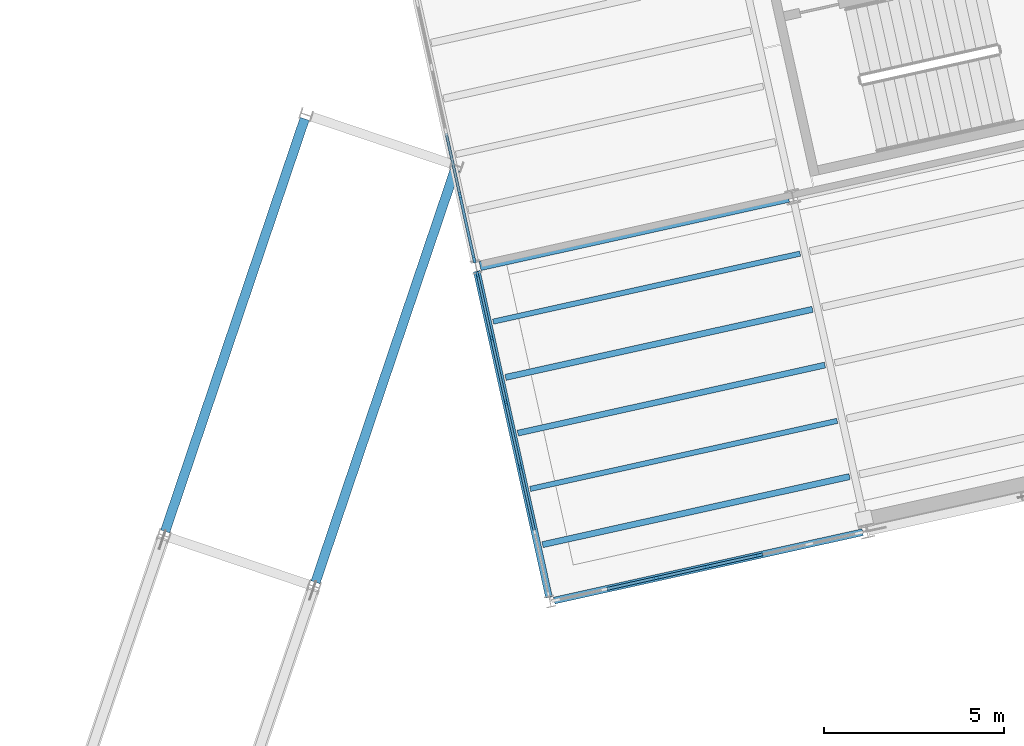
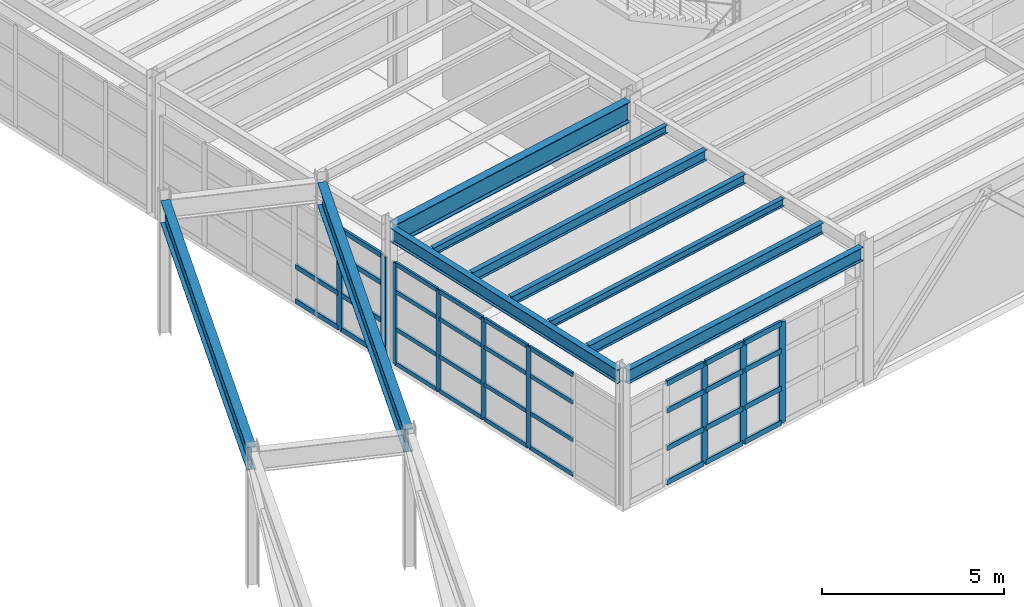
# One storey, part 51 of 109: 43 members, 10 beams, 3 elements without a shape of their own.
"""IFC4 building model written with IfcOpenShell, lengths in metres."""

from ifc_helpers import new_model, si_unit, direction, frame, origin, origin_2d, place, context, subcontext, project, spatial, rectangle, i_section, extrude, material, layer, layer_set, material_profile, profile_set, type_object, element, aggregate, save


model = new_model("IFC4")

# Units and contexts
model_context = context("Model", 3, precision=1e-05, world=origin(), true_north=direction((0.0, 1.0)))
body_context = subcontext(model_context, "Body", "Model", "MODEL_VIEW")
ifc_project = project(units=[si_unit("LENGTHUNIT", "METRE"), si_unit("AREAUNIT", "SQUARE_METRE"), si_unit("VOLUMEUNIT", "CUBIC_METRE"), si_unit("PLANEANGLEUNIT", "RADIAN"), si_unit("MASSUNIT", "GRAM", prefix="KILO")], contexts=[model_context])

# Site, building, storey
site_placement = place(None, origin())
site = spatial("IfcSite", under=ifc_project, at=site_placement, CompositionType="ELEMENT")
building_placement = place(site_placement, origin())
building = spatial("IfcBuilding", under=site, at=building_placement, Name="Vireo Bluff Cable Station", CompositionType="ELEMENT")
storey_placement = place(building_placement, frame((0.0, 0.0, 4.800048828125)))
storey = spatial("IfcBuildingStorey", under=building, at=storey_placement, Name="L01", CompositionType="ELEMENT", Elevation=4.800048828125)

# Curtain wall, members
ifc_material_1 = material(Name="Anodized Aluminium 6063-T6", Category="aluminium")
ifc_layer_1 = layer(ifc_material_1, 0.159912109375, Name="Anodized Aluminium 6063-T6")
ifc_layer_set_1 = layer_set([ifc_layer_1], Name="Anodized Aluminium 6063-T6")
curtain_wall_type_1 = type_object("IfcCurtainWallType", Name="CW-STICK-1750", PredefinedType="USERDEFINED", material=ifc_layer_set_1)
curtain_wall_1_placement = place(storey_placement, origin())
curtain_wall_1 = element("IfcCurtainWall", 1, at=curtain_wall_1_placement, inside=storey, type_object=curtain_wall_type_1, Name="V2 L01 west curtain wall CW-044", ObjectType="STICK CURTAIN WALL", PredefinedType="USERDEFINED")
ifc_material_profile_1 = material_profile(ifc_material_1, rectangle(XDim=0.06494140625, YDim=0.179931640625, at=origin_2d()), Name="ALU-M-65X180")
ifc_profile_set_1 = profile_set([ifc_material_profile_1], Name="Anodized Aluminium 6063-T6")
member_type_1 = type_object("IfcMemberType", Name="CWM-01", PredefinedType="MULLION", material=ifc_profile_set_1)
member_1_placement = place(storey_placement, frame((125.173095703125, 77.730224609375, 0.0), z_axis=(0.0, 0.0, 1.0), x_axis=(-0.976296002602, -0.216439634317, 0.0)))
member_1 = element("IfcMember", 2, at=member_1_placement, type_object=member_type_1, Name="CW-044 mullion 3", PredefinedType="MULLION", context=body_context, shape_type="SweptSolid", body=[
    extrude(rectangle(XDim=0.06494140625, YDim=0.179931640625, at=origin_2d()), origin(), (0.0, 0.0, 1.0), 3.39990234375),
])
member_2_placement = place(storey_placement, frame((124.776611328125, 79.518798828125, 0.0), z_axis=(0.0, 0.0, 1.0), x_axis=(-0.976296002602, -0.216439634317, 0.0)))
member_2 = element("IfcMember", 3, at=member_2_placement, type_object=member_type_1, Name="CW-044 mullion 4", PredefinedType="MULLION", context=body_context, shape_type="SweptSolid", body=[
    extrude(rectangle(XDim=0.06494140625, YDim=0.179931640625, at=origin_2d()), origin(), (0.0, 0.0, 1.0), 3.39990234375),
])
member_3_placement = place(storey_placement, frame((124.380126953125, 81.30712890625, 0.0), z_axis=(0.0, 0.0, 1.0), x_axis=(-0.976296002602, -0.216439634317, 0.0)))
member_3 = element("IfcMember", 4, at=member_3_placement, type_object=member_type_1, Name="CW-044 mullion 5", PredefinedType="MULLION", context=body_context, shape_type="SweptSolid", body=[
    extrude(rectangle(XDim=0.06494140625, YDim=0.179931640625, at=origin_2d()), origin(), (0.0, 0.0, 1.0), 3.39990234375),
])
member_4_placement = place(storey_placement, frame((123.990478515625, 83.06396484375, 0.0), z_axis=(0.0, 0.0, 1.0), x_axis=(-0.976296002602, -0.216439634317, 0.0)))
member_4 = element("IfcMember", 5, at=member_4_placement, type_object=member_type_1, Name="CW-044 mullion 6", PredefinedType="MULLION", context=body_context, shape_type="SweptSolid", body=[
    extrude(rectangle(XDim=0.06494140625, YDim=0.179931640625, at=origin_2d()), origin(), (0.0, 0.0, 1.0), 3.39990234375),
])

ifc_layer_2 = layer(ifc_material_1, 0.159912109375, Name="Anodized Aluminium 6063-T6")
ifc_layer_set_2 = layer_set([ifc_layer_2], Name="Anodized Aluminium 6063-T6")
curtain_wall_type_2 = type_object("IfcCurtainWallType", Name="CW-STICK-1850", PredefinedType="USERDEFINED", material=ifc_layer_set_2)
curtain_wall_2_placement = place(storey_placement, origin())
curtain_wall_2 = element("IfcCurtainWall", 6, at=curtain_wall_2_placement, inside=storey, type_object=curtain_wall_type_2, Name="V2 L01 west curtain wall CW-045", ObjectType="STICK CURTAIN WALL", PredefinedType="USERDEFINED")
ifc_material_profile_2 = material_profile(ifc_material_1, rectangle(XDim=0.074951171875, YDim=0.2099609375, at=origin_2d()), Name="ALU-M-75X210")
ifc_profile_set_2 = profile_set([ifc_material_profile_2], Name="Anodized Aluminium 6063-T6")
member_type_2 = type_object("IfcMemberType", Name="CWM-02", PredefinedType="MULLION", material=ifc_profile_set_2)
member_5_placement = place(storey_placement, frame((123.89599609375, 83.490478515625, 0.0), z_axis=(0.0, 0.0, 1.0), x_axis=(-0.976295999735, -0.21643964725, 0.0)))
member_5 = element("IfcMember", 7, at=member_5_placement, type_object=member_type_2, Name="CW-045 mullion 1", PredefinedType="MULLION", context=body_context, shape_type="SweptSolid", body=[
    extrude(rectangle(XDim=0.074951171875, YDim=0.2099609375, at=origin_2d()), origin(), (0.0, 0.0, 1.0), 3.39990234375),
])
member_6_placement = place(storey_placement, frame((123.5087890625, 85.237548828125, 0.0), z_axis=(0.0, 0.0, 1.0), x_axis=(-0.976295999735, -0.21643964725, 0.0)))
member_6 = element("IfcMember", 8, at=member_6_placement, type_object=member_type_2, Name="CW-045 mullion 2", PredefinedType="MULLION", context=body_context, shape_type="SweptSolid", body=[
    extrude(rectangle(XDim=0.074951171875, YDim=0.2099609375, at=origin_2d()), origin(), (0.0, 0.0, 1.0), 3.39990234375),
])

ifc_layer_3 = layer(ifc_material_1, 0.179931640625, Name="Anodized Aluminium 6063-T6")
ifc_layer_set_3 = layer_set([ifc_layer_3], Name="Anodized Aluminium 6063-T6")
curtain_wall_type_3 = type_object("IfcCurtainWallType", Name="CW-UNIT-1500", PredefinedType="USERDEFINED", material=ifc_layer_set_3)
curtain_wall_3_placement = place(storey_placement, origin())
curtain_wall_3 = element("IfcCurtainWall", 9, at=curtain_wall_3_placement, inside=storey, type_object=curtain_wall_type_3, Name="V2 L01 south curtain wall CW-043", ObjectType="UNITISED CURTAIN WALL", PredefinedType="USERDEFINED")
ifc_material_profile_3 = material_profile(ifc_material_1, rectangle(XDim=0.080078125, YDim=0.239990234375, at=origin_2d()), Name="ALU-M-80X240")
ifc_profile_set_3 = profile_set([ifc_material_profile_3], Name="Anodized Aluminium 6063-T6")
member_type_3 = type_object("IfcMemberType", Name="CWM-04", PredefinedType="MULLION", material=ifc_profile_set_3)
member_7_placement = place(storey_placement, frame((131.778076171875, 75.281005859375, 0.0), z_axis=(0.0, 0.0, 1.0), x_axis=(0.216439535726, -0.976296024459, 0.0)))
member_7 = element("IfcMember", 10, at=member_7_placement, type_object=member_type_3, Name="CW-043 mullion 3", PredefinedType="MULLION", context=body_context, shape_type="SweptSolid", body=[
    extrude(rectangle(XDim=0.080078125, YDim=0.239990234375, at=origin_2d()), origin(), (0.0, 0.0, 1.0), 3.39990234375),
])
member_8_placement = place(storey_placement, frame((130.364990234375, 74.9677734375, 0.0), z_axis=(0.0, 0.0, 1.0), x_axis=(0.216439535726, -0.976296024459, 0.0)))
member_8 = element("IfcMember", 11, at=member_8_placement, type_object=member_type_3, Name="CW-043 mullion 4", PredefinedType="MULLION", context=body_context, shape_type="SweptSolid", body=[
    extrude(rectangle(XDim=0.080078125, YDim=0.239990234375, at=origin_2d()), origin(), (0.0, 0.0, 1.0), 3.39990234375),
])
member_9_placement = place(storey_placement, frame((128.951904296875, 74.654541015625, 0.0), z_axis=(0.0, 0.0, 1.0), x_axis=(0.216439535726, -0.976296024459, 0.0)))
member_9 = element("IfcMember", 12, at=member_9_placement, type_object=member_type_3, Name="CW-043 mullion 5", PredefinedType="MULLION", context=body_context, shape_type="SweptSolid", body=[
    extrude(rectangle(XDim=0.080078125, YDim=0.239990234375, at=origin_2d()), origin(), (0.0, 0.0, 1.0), 3.39990234375),
])

# Member
ifc_material_profile_4 = material_profile(ifc_material_1, rectangle(XDim=0.06494140625, YDim=0.139892578125, at=origin_2d()), Name="ALU-T-65X140")
ifc_profile_set_4 = profile_set([ifc_material_profile_4], Name="Anodized Aluminium 6063-T6")
member_type_4 = type_object("IfcMemberType", Name="CWT-01", PredefinedType="USERDEFINED", material=ifc_profile_set_4)
member_10_placement = place(storey_placement, frame((125.5625, 75.973388671875, 0.032470703125), z_axis=(-0.216374490886, 0.976310442274, 0.0), x_axis=(-0.976310442274, -0.216374490886, 0.0)))
member_10 = element("IfcMember", 13, at=member_10_placement, type_object=member_type_4, Name="CW-044 transom 2.1", ObjectType="TRANSOM", PredefinedType="USERDEFINED", context=body_context, shape_type="SweptSolid", body=[
    extrude(rectangle(XDim=0.06494140625, YDim=0.139892578125, at=origin_2d()), origin(), (0.0, 0.0, 1.0), 1.766845703125),
])

member_11_placement = place(storey_placement, frame((125.5625, 75.973388671875, 1.18994140625), z_axis=(-0.216374490886, 0.976310442274, 0.0), x_axis=(-0.976310442274, -0.216374490886, 0.0)))
member_11 = element("IfcMember", 14, at=member_11_placement, type_object=member_type_4, Name="CW-044 transom 2.2", ObjectType="TRANSOM", PredefinedType="USERDEFINED", context=body_context, shape_type="SweptSolid", body=[
    extrude(rectangle(XDim=0.06494140625, YDim=0.139892578125, at=origin_2d()), origin(), (0.0, 0.0, 1.0), 1.766845703125),
])

member_12_placement = place(storey_placement, frame((125.5625, 75.973388671875, 2.447998046875), z_axis=(-0.216374490886, 0.976310442274, 0.0), x_axis=(-0.976310442274, -0.216374490886, 0.0)))
member_12 = element("IfcMember", 15, at=member_12_placement, type_object=member_type_4, Name="CW-044 transom 2.3", ObjectType="TRANSOM", PredefinedType="USERDEFINED", context=body_context, shape_type="SweptSolid", body=[
    extrude(rectangle(XDim=0.06494140625, YDim=0.139892578125, at=origin_2d()), origin(), (0.0, 0.0, 1.0), 1.766845703125),
])

member_13_placement = place(storey_placement, frame((125.5625, 75.973388671875, 3.367431640625), z_axis=(-0.216374490886, 0.976310442274, 0.0), x_axis=(-0.976310442274, -0.216374490886, 0.0)))
member_13 = element("IfcMember", 16, at=member_13_placement, type_object=member_type_4, Name="CW-044 transom 2.4", ObjectType="TRANSOM", PredefinedType="USERDEFINED", context=body_context, shape_type="SweptSolid", body=[
    extrude(rectangle(XDim=0.06494140625, YDim=0.139892578125, at=origin_2d()), origin(), (0.0, 0.0, 1.0), 1.766845703125),
])

member_14_placement = place(storey_placement, frame((125.166015625, 77.761962890625, 0.032470703125), z_axis=(-0.216506186312, 0.976281245999, 0.0), x_axis=(-0.976281245999, -0.216506186312, 0.0)))
member_14 = element("IfcMember", 17, at=member_14_placement, type_object=member_type_4, Name="CW-044 transom 3.1", ObjectType="TRANSOM", PredefinedType="USERDEFINED", context=body_context, shape_type="SweptSolid", body=[
    extrude(rectangle(XDim=0.06494140625, YDim=0.139892578125, at=origin_2d()), origin(), (0.0, 0.0, 1.0), 1.76708984375),
])

member_15_placement = place(storey_placement, frame((125.166015625, 77.761962890625, 1.18994140625), z_axis=(-0.216506186312, 0.976281245999, 0.0), x_axis=(-0.976281245999, -0.216506186312, 0.0)))
member_15 = element("IfcMember", 18, at=member_15_placement, type_object=member_type_4, Name="CW-044 transom 3.2", ObjectType="TRANSOM", PredefinedType="USERDEFINED", context=body_context, shape_type="SweptSolid", body=[
    extrude(rectangle(XDim=0.06494140625, YDim=0.139892578125, at=origin_2d()), origin(), (0.0, 0.0, 1.0), 1.76708984375),
])

member_16_placement = place(storey_placement, frame((125.166015625, 77.761962890625, 2.447998046875), z_axis=(-0.216506186312, 0.976281245999, 0.0), x_axis=(-0.976281245999, -0.216506186312, 0.0)))
member_16 = element("IfcMember", 19, at=member_16_placement, type_object=member_type_4, Name="CW-044 transom 3.3", ObjectType="TRANSOM", PredefinedType="USERDEFINED", context=body_context, shape_type="SweptSolid", body=[
    extrude(rectangle(XDim=0.06494140625, YDim=0.139892578125, at=origin_2d()), origin(), (0.0, 0.0, 1.0), 1.76708984375),
])

member_17_placement = place(storey_placement, frame((125.166015625, 77.761962890625, 3.367431640625), z_axis=(-0.216506186312, 0.976281245999, 0.0), x_axis=(-0.976281245999, -0.216506186312, 0.0)))
member_17 = element("IfcMember", 20, at=member_17_placement, type_object=member_type_4, Name="CW-044 transom 3.4", ObjectType="TRANSOM", PredefinedType="USERDEFINED", context=body_context, shape_type="SweptSolid", body=[
    extrude(rectangle(XDim=0.06494140625, YDim=0.139892578125, at=origin_2d()), origin(), (0.0, 0.0, 1.0), 1.76708984375),
])

member_18_placement = place(storey_placement, frame((124.76953125, 79.550537109375, 0.032470703125), z_axis=(-0.216535394439, 0.976274768165, 0.0), x_axis=(-0.976274768165, -0.216535394439, 0.0)))
member_18 = element("IfcMember", 21, at=member_18_placement, type_object=member_type_4, Name="CW-044 transom 4.1", ObjectType="TRANSOM", PredefinedType="USERDEFINED", context=body_context, shape_type="SweptSolid", body=[
    extrude(rectangle(XDim=0.06494140625, YDim=0.139892578125, at=origin_2d()), origin(), (0.0, 0.0, 1.0), 1.766845703125),
])

member_19_placement = place(storey_placement, frame((124.76953125, 79.550537109375, 1.18994140625), z_axis=(-0.216535394439, 0.976274768165, 0.0), x_axis=(-0.976274768165, -0.216535394439, 0.0)))
member_19 = element("IfcMember", 22, at=member_19_placement, type_object=member_type_4, Name="CW-044 transom 4.2", ObjectType="TRANSOM", PredefinedType="USERDEFINED", context=body_context, shape_type="SweptSolid", body=[
    extrude(rectangle(XDim=0.06494140625, YDim=0.139892578125, at=origin_2d()), origin(), (0.0, 0.0, 1.0), 1.766845703125),
])

member_20_placement = place(storey_placement, frame((124.76953125, 79.550537109375, 2.447998046875), z_axis=(-0.216535394439, 0.976274768165, 0.0), x_axis=(-0.976274768165, -0.216535394439, 0.0)))
member_20 = element("IfcMember", 23, at=member_20_placement, type_object=member_type_4, Name="CW-044 transom 4.3", ObjectType="TRANSOM", PredefinedType="USERDEFINED", context=body_context, shape_type="SweptSolid", body=[
    extrude(rectangle(XDim=0.06494140625, YDim=0.139892578125, at=origin_2d()), origin(), (0.0, 0.0, 1.0), 1.766845703125),
])

member_21_placement = place(storey_placement, frame((124.76953125, 79.550537109375, 3.367431640625), z_axis=(-0.216535394439, 0.976274768165, 0.0), x_axis=(-0.976274768165, -0.216535394439, 0.0)))
member_21 = element("IfcMember", 24, at=member_21_placement, type_object=member_type_4, Name="CW-044 transom 4.4", ObjectType="TRANSOM", PredefinedType="USERDEFINED", context=body_context, shape_type="SweptSolid", body=[
    extrude(rectangle(XDim=0.06494140625, YDim=0.139892578125, at=origin_2d()), origin(), (0.0, 0.0, 1.0), 1.766845703125),
])

member_22_placement = place(storey_placement, frame((124.373046875, 81.3388671875, 0.032470703125), z_axis=(-0.216483326535, 0.976286315244, 0.0), x_axis=(-0.976286315244, -0.216483326535, 0.0)))
member_22 = element("IfcMember", 25, at=member_22_placement, type_object=member_type_4, Name="CW-044 transom 5.1", ObjectType="TRANSOM", PredefinedType="USERDEFINED", context=body_context, shape_type="SweptSolid", body=[
    extrude(rectangle(XDim=0.06494140625, YDim=0.139892578125, at=origin_2d()), origin(), (0.0, 0.0, 1.0), 1.734375),
])

member_23_placement = place(storey_placement, frame((124.373046875, 81.3388671875, 1.18994140625), z_axis=(-0.216483326535, 0.976286315244, 0.0), x_axis=(-0.976286315244, -0.216483326535, 0.0)))
member_23 = element("IfcMember", 26, at=member_23_placement, type_object=member_type_4, Name="CW-044 transom 5.2", ObjectType="TRANSOM", PredefinedType="USERDEFINED", context=body_context, shape_type="SweptSolid", body=[
    extrude(rectangle(XDim=0.06494140625, YDim=0.139892578125, at=origin_2d()), origin(), (0.0, 0.0, 1.0), 1.734375),
])

member_24_placement = place(storey_placement, frame((124.373046875, 81.3388671875, 2.447998046875), z_axis=(-0.216483326535, 0.976286315244, 0.0), x_axis=(-0.976286315244, -0.216483326535, 0.0)))
member_24 = element("IfcMember", 27, at=member_24_placement, type_object=member_type_4, Name="CW-044 transom 5.3", ObjectType="TRANSOM", PredefinedType="USERDEFINED", context=body_context, shape_type="SweptSolid", body=[
    extrude(rectangle(XDim=0.06494140625, YDim=0.139892578125, at=origin_2d()), origin(), (0.0, 0.0, 1.0), 1.734375),
])

member_25_placement = place(storey_placement, frame((124.373046875, 81.3388671875, 3.367431640625), z_axis=(-0.216483326535, 0.976286315244, 0.0), x_axis=(-0.976286315244, -0.216483326535, 0.0)))
member_25 = element("IfcMember", 28, at=member_25_placement, type_object=member_type_4, Name="CW-044 transom 5.4", ObjectType="TRANSOM", PredefinedType="USERDEFINED", context=body_context, shape_type="SweptSolid", body=[
    extrude(rectangle(XDim=0.06494140625, YDim=0.139892578125, at=origin_2d()), origin(), (0.0, 0.0, 1.0), 1.734375),
])

aggregate(curtain_wall_1, [member_1, member_2, member_3, member_4, member_10, member_11, member_12, member_13, member_14, member_15, member_16, member_17, member_18, member_19, member_20, member_21, member_22, member_23, member_24, member_25])

ifc_material_profile_5 = material_profile(ifc_material_1, rectangle(XDim=0.074951171875, YDim=0.159912109375, at=origin_2d()), Name="ALU-T-75X160")
ifc_profile_set_5 = profile_set([ifc_material_profile_5], Name="Anodized Aluminium 6063-T6")
member_type_5 = type_object("IfcMemberType", Name="CWT-02", PredefinedType="USERDEFINED", material=ifc_profile_set_5)
member_26_placement = place(storey_placement, frame((123.887939453125, 83.527099609375, 0.037353515625), z_axis=(-0.216447946735, 0.976294159746, 0.0), x_axis=(-0.976294159746, -0.216447946735, 0.0)))
member_26 = element("IfcMember", 29, at=member_26_placement, type_object=member_type_5, Name="CW-045 transom 1.1", ObjectType="TRANSOM", PredefinedType="USERDEFINED", context=body_context, shape_type="SweptSolid", body=[
    extrude(rectangle(XDim=0.074951171875, YDim=0.159912109375, at=origin_2d()), origin(), (0.0, 0.0, 1.0), 1.71435546875),
])

member_27_placement = place(storey_placement, frame((123.887939453125, 83.527099609375, 1.18994140625), z_axis=(-0.216447946735, 0.976294159746, 0.0), x_axis=(-0.976294159746, -0.216447946735, 0.0)))
member_27 = element("IfcMember", 30, at=member_27_placement, type_object=member_type_5, Name="CW-045 transom 1.2", ObjectType="TRANSOM", PredefinedType="USERDEFINED", context=body_context, shape_type="SweptSolid", body=[
    extrude(rectangle(XDim=0.074951171875, YDim=0.159912109375, at=origin_2d()), origin(), (0.0, 0.0, 1.0), 1.71435546875),
])

member_28_placement = place(storey_placement, frame((123.887939453125, 83.527099609375, 2.447998046875), z_axis=(-0.216447946735, 0.976294159746, 0.0), x_axis=(-0.976294159746, -0.216447946735, 0.0)))
member_28 = element("IfcMember", 31, at=member_28_placement, type_object=member_type_5, Name="CW-045 transom 1.3", ObjectType="TRANSOM", PredefinedType="USERDEFINED", context=body_context, shape_type="SweptSolid", body=[
    extrude(rectangle(XDim=0.074951171875, YDim=0.159912109375, at=origin_2d()), origin(), (0.0, 0.0, 1.0), 1.71435546875),
])

member_29_placement = place(storey_placement, frame((123.887939453125, 83.527099609375, 3.362548828125), z_axis=(-0.216447946735, 0.976294159746, 0.0), x_axis=(-0.976294159746, -0.216447946735, 0.0)))
member_29 = element("IfcMember", 32, at=member_29_placement, type_object=member_type_5, Name="CW-045 transom 1.4", ObjectType="TRANSOM", PredefinedType="USERDEFINED", context=body_context, shape_type="SweptSolid", body=[
    extrude(rectangle(XDim=0.074951171875, YDim=0.159912109375, at=origin_2d()), origin(), (0.0, 0.0, 1.0), 1.71435546875),
])

member_30_placement = place(storey_placement, frame((123.50048828125, 85.274169921875, 0.037353515625), z_axis=(-0.216414004514, 0.97630168424, 0.0), x_axis=(-0.97630168424, -0.216414004514, 0.0)))
member_30 = element("IfcMember", 33, at=member_30_placement, type_object=member_type_5, Name="CW-045 transom 2.1", ObjectType="TRANSOM", PredefinedType="USERDEFINED", context=body_context, shape_type="SweptSolid", body=[
    extrude(rectangle(XDim=0.074951171875, YDim=0.159912109375, at=origin_2d()), origin(), (0.0, 0.0, 1.0), 1.751953125),
])

member_31_placement = place(storey_placement, frame((123.50048828125, 85.274169921875, 1.18994140625), z_axis=(-0.216414004514, 0.97630168424, 0.0), x_axis=(-0.97630168424, -0.216414004514, 0.0)))
member_31 = element("IfcMember", 34, at=member_31_placement, type_object=member_type_5, Name="CW-045 transom 2.2", ObjectType="TRANSOM", PredefinedType="USERDEFINED", context=body_context, shape_type="SweptSolid", body=[
    extrude(rectangle(XDim=0.074951171875, YDim=0.159912109375, at=origin_2d()), origin(), (0.0, 0.0, 1.0), 1.751953125),
])

aggregate(curtain_wall_2, [member_5, member_6, member_26, member_27, member_28, member_29, member_30, member_31])

ifc_material_profile_6 = material_profile(ifc_material_1, rectangle(XDim=0.080078125, YDim=0.175048828125, at=origin_2d()), Name="ALU-T-80X175")
ifc_profile_set_6 = profile_set([ifc_material_profile_6], Name="Anodized Aluminium 6063-T6")
member_type_6 = type_object("IfcMemberType", Name="CWT-04", PredefinedType="USERDEFINED", material=ifc_profile_set_6)
member_32_placement = place(storey_placement, frame((131.739013671875, 75.272216796875, 0.0400390625), z_axis=(-0.976304548779, -0.216401081405, 0.0), x_axis=(0.216401081405, -0.976304548779, 0.0)))
member_32 = element("IfcMember", 35, at=member_32_placement, type_object=member_type_6, Name="CW-043 transom 3.1", ObjectType="TRANSOM", PredefinedType="USERDEFINED", context=body_context, shape_type="SweptSolid", body=[
    extrude(rectangle(XDim=0.080078125, YDim=0.175048828125, at=origin_2d()), origin(), (0.0, 0.0, 1.0), 1.367431640625),
])

member_33_placement = place(storey_placement, frame((131.739013671875, 75.272216796875, 1.18994140625), z_axis=(-0.976304548779, -0.216401081405, 0.0), x_axis=(0.216401081405, -0.976304548779, 0.0)))
member_33 = element("IfcMember", 36, at=member_33_placement, type_object=member_type_6, Name="CW-043 transom 3.2", ObjectType="TRANSOM", PredefinedType="USERDEFINED", context=body_context, shape_type="SweptSolid", body=[
    extrude(rectangle(XDim=0.080078125, YDim=0.175048828125, at=origin_2d()), origin(), (0.0, 0.0, 1.0), 1.367431640625),
])

member_34_placement = place(storey_placement, frame((131.739013671875, 75.272216796875, 2.447998046875), z_axis=(-0.976304548779, -0.216401081405, 0.0), x_axis=(0.216401081405, -0.976304548779, 0.0)))
member_34 = element("IfcMember", 37, at=member_34_placement, type_object=member_type_6, Name="CW-043 transom 3.3", ObjectType="TRANSOM", PredefinedType="USERDEFINED", context=body_context, shape_type="SweptSolid", body=[
    extrude(rectangle(XDim=0.080078125, YDim=0.175048828125, at=origin_2d()), origin(), (0.0, 0.0, 1.0), 1.367431640625),
])

member_35_placement = place(storey_placement, frame((131.739013671875, 75.272216796875, 3.35986328125), z_axis=(-0.976304548779, -0.216401081405, 0.0), x_axis=(0.216401081405, -0.976304548779, 0.0)))
member_35 = element("IfcMember", 38, at=member_35_placement, type_object=member_type_6, Name="CW-043 transom 3.4", ObjectType="TRANSOM", PredefinedType="USERDEFINED", context=body_context, shape_type="SweptSolid", body=[
    extrude(rectangle(XDim=0.080078125, YDim=0.175048828125, at=origin_2d()), origin(), (0.0, 0.0, 1.0), 1.367431640625),
])

member_36_placement = place(storey_placement, frame((130.325927734375, 74.958984375, 0.0400390625), z_axis=(-0.976304548779, -0.216401081405, 0.0), x_axis=(0.216401081405, -0.976304548779, 0.0)))
member_36 = element("IfcMember", 39, at=member_36_placement, type_object=member_type_6, Name="CW-043 transom 4.1", ObjectType="TRANSOM", PredefinedType="USERDEFINED", context=body_context, shape_type="SweptSolid", body=[
    extrude(rectangle(XDim=0.080078125, YDim=0.175048828125, at=origin_2d()), origin(), (0.0, 0.0, 1.0), 1.367431640625),
])

member_37_placement = place(storey_placement, frame((130.325927734375, 74.958984375, 1.18994140625), z_axis=(-0.976304548779, -0.216401081405, 0.0), x_axis=(0.216401081405, -0.976304548779, 0.0)))
member_37 = element("IfcMember", 40, at=member_37_placement, type_object=member_type_6, Name="CW-043 transom 4.2", ObjectType="TRANSOM", PredefinedType="USERDEFINED", context=body_context, shape_type="SweptSolid", body=[
    extrude(rectangle(XDim=0.080078125, YDim=0.175048828125, at=origin_2d()), origin(), (0.0, 0.0, 1.0), 1.367431640625),
])

member_38_placement = place(storey_placement, frame((130.325927734375, 74.958984375, 2.447998046875), z_axis=(-0.976304548779, -0.216401081405, 0.0), x_axis=(0.216401081405, -0.976304548779, 0.0)))
member_38 = element("IfcMember", 41, at=member_38_placement, type_object=member_type_6, Name="CW-043 transom 4.3", ObjectType="TRANSOM", PredefinedType="USERDEFINED", context=body_context, shape_type="SweptSolid", body=[
    extrude(rectangle(XDim=0.080078125, YDim=0.175048828125, at=origin_2d()), origin(), (0.0, 0.0, 1.0), 1.367431640625),
])

member_39_placement = place(storey_placement, frame((130.325927734375, 74.958984375, 3.35986328125), z_axis=(-0.976304548779, -0.216401081405, 0.0), x_axis=(0.216401081405, -0.976304548779, 0.0)))
member_39 = element("IfcMember", 42, at=member_39_placement, type_object=member_type_6, Name="CW-043 transom 4.4", ObjectType="TRANSOM", PredefinedType="USERDEFINED", context=body_context, shape_type="SweptSolid", body=[
    extrude(rectangle(XDim=0.080078125, YDim=0.175048828125, at=origin_2d()), origin(), (0.0, 0.0, 1.0), 1.367431640625),
])

member_40_placement = place(storey_placement, frame((128.912841796875, 74.645751953125, 0.0400390625), z_axis=(-0.976296185257, -0.216438810414, 0.0), x_axis=(0.216438810414, -0.976296185257, 0.0)))
member_40 = element("IfcMember", 43, at=member_40_placement, type_object=member_type_6, Name="CW-043 transom 5.1", ObjectType="TRANSOM", PredefinedType="USERDEFINED", context=body_context, shape_type="SweptSolid", body=[
    extrude(rectangle(XDim=0.080078125, YDim=0.175048828125, at=origin_2d()), origin(), (0.0, 0.0, 1.0), 1.3671875),
])

member_41_placement = place(storey_placement, frame((128.912841796875, 74.645751953125, 1.18994140625), z_axis=(-0.976296185257, -0.216438810414, 0.0), x_axis=(0.216438810414, -0.976296185257, 0.0)))
member_41 = element("IfcMember", 44, at=member_41_placement, type_object=member_type_6, Name="CW-043 transom 5.2", ObjectType="TRANSOM", PredefinedType="USERDEFINED", context=body_context, shape_type="SweptSolid", body=[
    extrude(rectangle(XDim=0.080078125, YDim=0.175048828125, at=origin_2d()), origin(), (0.0, 0.0, 1.0), 1.3671875),
])

member_42_placement = place(storey_placement, frame((128.912841796875, 74.645751953125, 2.447998046875), z_axis=(-0.976296185257, -0.216438810414, 0.0), x_axis=(0.216438810414, -0.976296185257, 0.0)))
member_42 = element("IfcMember", 45, at=member_42_placement, type_object=member_type_6, Name="CW-043 transom 5.3", ObjectType="TRANSOM", PredefinedType="USERDEFINED", context=body_context, shape_type="SweptSolid", body=[
    extrude(rectangle(XDim=0.080078125, YDim=0.175048828125, at=origin_2d()), origin(), (0.0, 0.0, 1.0), 1.3671875),
])

member_43_placement = place(storey_placement, frame((128.912841796875, 74.645751953125, 3.35986328125), z_axis=(-0.976296185257, -0.216438810414, 0.0), x_axis=(0.216438810414, -0.976296185257, 0.0)))
member_43 = element("IfcMember", 46, at=member_43_placement, type_object=member_type_6, Name="CW-043 transom 5.4", ObjectType="TRANSOM", PredefinedType="USERDEFINED", context=body_context, shape_type="SweptSolid", body=[
    extrude(rectangle(XDim=0.080078125, YDim=0.175048828125, at=origin_2d()), origin(), (0.0, 0.0, 1.0), 1.3671875),
])

aggregate(curtain_wall_3, [member_7, member_8, member_9, member_32, member_33, member_34, member_35, member_36, member_37, member_38, member_39, member_40, member_41, member_42, member_43])

# Beams
ifc_material_2 = material(Name="Steel ASTM A992 Gr. 50", Category="steel")
ifc_material_profile_7 = material_profile(ifc_material_2, i_section(OverallWidth=0.26708984375, OverallDepth=0.77001953125, WebThickness=0.015625, FlangeThickness=0.025390625, FilletRadius=0.01611328125, at=origin_2d()), Name="W30X132")
ifc_profile_set_7 = profile_set([ifc_material_profile_7], Name="Steel ASTM A992 Gr. 50")
beam_type_1 = type_object("IfcBeamType", Name="EXTGIR-W30X132", PredefinedType="USERDEFINED", material=ifc_profile_set_7)
beam_1_placement = place(storey_placement, frame((119.497802734375, 74.53271484375, 4.159912109375), z_axis=(0.320349184823, 0.947299530129, 0.0), x_axis=(-0.947299530129, 0.320349184823, 0.0)))
element("IfcBeam", 47, at=beam_1_placement, inside=storey, type_object=beam_type_1, Name="HAUL-DRIVE skybridge floor girder 3L", ObjectType="GIRDER", PredefinedType="USERDEFINED", context=body_context, shape_type="SweptSolid", body=[
    extrude(i_section(OverallWidth=0.26708984375, OverallDepth=0.77001953125, WebThickness=0.015625, FlangeThickness=0.025390625, FilletRadius=0.01611328125, at=origin_2d()), origin(), (0.0, 0.0, 1.0), 12.07568359375),
])
beam_2_placement = place(storey_placement, frame((115.329833984375, 75.942138671875, 4.159912109375), z_axis=(0.320343049542, 0.947301604881, 0.0), x_axis=(-0.947301604881, 0.320343049542, 0.0)))
element("IfcBeam", 48, at=beam_2_placement, inside=storey, type_object=beam_type_1, Name="HAUL-DRIVE skybridge floor girder 3R", ObjectType="GIRDER", PredefinedType="USERDEFINED", context=body_context, shape_type="SweptSolid", body=[
    extrude(i_section(OverallWidth=0.26708984375, OverallDepth=0.77001953125, WebThickness=0.015625, FlangeThickness=0.025390625, FilletRadius=0.01611328125, at=origin_2d()), origin(), (0.0, 0.0, 1.0), 12.075927734375),
])
ifc_material_profile_8 = material_profile(ifc_material_2, i_section(OverallWidth=0.257080078125, OverallDepth=0.693115234375, WebThickness=0.014404296875, FlangeThickness=0.023681640625, FilletRadius=0.014892578125, at=origin_2d()), Name="W27X114")
ifc_profile_set_8 = profile_set([ifc_material_profile_8], Name="Steel ASTM A992 Gr. 50")
beam_type_2 = type_object("IfcBeamType", Name="GIR-W27X114", PredefinedType="USERDEFINED", material=ifc_profile_set_8)
beam_3_placement = place(storey_placement, frame((124.06103515625, 83.30078125, 4.193359375), z_axis=(0.976295795297, 0.216440569406, 0.0), x_axis=(-0.216440569406, 0.976295795297, 0.0)))
element("IfcBeam", 49, at=beam_3_placement, inside=storey, type_object=beam_type_2, Name="V2 L01 girder 444", ObjectType="GIRDER", PredefinedType="USERDEFINED", context=body_context, shape_type="SweptSolid", body=[
    extrude(i_section(OverallWidth=0.257080078125, OverallDepth=0.693115234375, WebThickness=0.014404296875, FlangeThickness=0.023681640625, FilletRadius=0.014892578125, at=origin_2d()), origin(), (0.0, 0.0, 1.0), 8.760009765625),
])
ifc_material_profile_9 = material_profile(ifc_material_2, i_section(OverallWidth=0.14599609375, OverallDepth=0.259033203125, WebThickness=0.006103515625, FlangeThickness=0.009033203125, FilletRadius=0.009033203125, at=origin_2d()), Name="W10X22")
ifc_profile_set_9 = profile_set([ifc_material_profile_9], Name="Steel ASTM A992 Gr. 50")
beam_type_3 = type_object("IfcBeamType", Name="JST-W10X22", PredefinedType="JOIST", material=ifc_profile_set_9)
for number, where, z_axis, x_axis, name in (
    (50, (125.451171875, 77.121826171875, 4.410400390625), (0.976294318526, 0.216447230551, 0.0), (-0.216447230551, 0.976294318526, 0.0), "V2 L01 composite joist 472"),
    (51, (124.423095703125, 81.75927734375, 4.410400390625), (0.976294318526, 0.216447230551, 0.0), (-0.216447230551, 0.976294318526, 0.0), "V2 L01 composite joist 475"),
):
    element("IfcBeam", number, at=place(storey_placement, frame(where, z_axis=z_axis, x_axis=x_axis)), inside=storey, type_object=beam_type_3, Name=name, PredefinedType="JOIST", context=body_context, shape_type="SweptSolid", body=[
        extrude(i_section(OverallWidth=0.14599609375, OverallDepth=0.259033203125, WebThickness=0.006103515625, FlangeThickness=0.009033203125, FilletRadius=0.009033203125, at=origin_2d()), origin(), (0.0, 0.0, 1.0), 8.72021484375),
    ])
ifc_material_profile_10 = material_profile(ifc_material_2, i_section(OverallWidth=0.1650390625, OverallDepth=0.31005859375, WebThickness=0.005859375, FlangeThickness=0.009765625, FilletRadius=0.010009765625, at=origin_2d()), Name="W12X26")
ifc_profile_set_10 = profile_set([ifc_material_profile_10], Name="Steel ASTM A992 Gr. 50")
beam_type_4 = type_object("IfcBeamType", Name="JST-W12X26", PredefinedType="JOIST", material=ifc_profile_set_10)
beam_4_placement = place(storey_placement, frame((125.108642578125, 78.667724609375, 4.385009765625), z_axis=(0.976293006815, 0.216453146994, 0.0), x_axis=(-0.216453146994, 0.976293006815, 0.0)))
element("IfcBeam", 52, at=beam_4_placement, inside=storey, type_object=beam_type_4, Name="V2 L01 composite joist 473", PredefinedType="JOIST", context=body_context, shape_type="SweptSolid", body=[
    extrude(i_section(OverallWidth=0.1650390625, OverallDepth=0.31005859375, WebThickness=0.005859375, FlangeThickness=0.009765625, FilletRadius=0.010009765625, at=origin_2d()), origin(), (0.0, 0.0, 1.0), 8.719970703125),
])
ifc_material_profile_11 = material_profile(ifc_material_2, i_section(OverallWidth=0.1708984375, OverallDepth=0.35107421875, WebThickness=0.0068359375, FlangeThickness=0.009765625, FilletRadius=0.010009765625, at=origin_2d()), Name="W14X30")
ifc_profile_set_11 = profile_set([ifc_material_profile_11], Name="Steel ASTM A992 Gr. 50")
beam_type_5 = type_object("IfcBeamType", Name="JST-W14X30", PredefinedType="JOIST", material=ifc_profile_set_11)
for number, where, z_axis, x_axis, name in (
    (53, (125.7939453125, 75.576171875, 4.364501953125), (0.976300234484, 0.216420544652, 0.0), (-0.216420544652, 0.976300234484, 0.0), "V2 L01 composite joist 471"),
    (54, (124.765869140625, 80.213623046875, 4.364501953125), (0.976300234484, 0.216420544652, 0.0), (-0.216420544652, 0.976300234484, 0.0), "V2 L01 composite joist 474"),
):
    element("IfcBeam", number, at=place(storey_placement, frame(where, z_axis=z_axis, x_axis=x_axis)), inside=storey, type_object=beam_type_5, Name=name, PredefinedType="JOIST", context=body_context, shape_type="SweptSolid", body=[
        extrude(i_section(OverallWidth=0.1708984375, OverallDepth=0.35107421875, WebThickness=0.0068359375, FlangeThickness=0.009765625, FilletRadius=0.010009765625, at=origin_2d()), origin(), (0.0, 0.0, 1.0), 8.719970703125),
    ])
ifc_material_profile_12 = material_profile(ifc_material_2, i_section(OverallWidth=0.19091796875, OverallDepth=0.45703125, WebThickness=0.009033203125, FlangeThickness=0.014404296875, FilletRadius=0.011962890625, at=origin_2d()), Name="W18X50")
ifc_profile_set_12 = profile_set([ifc_material_profile_12], Name="Steel ASTM A992 Gr. 50")
beam_type_6 = type_object("IfcBeamType", Name="SPN-W18X50", PredefinedType="SPANDREL", material=ifc_profile_set_12)
beam_5_placement = place(storey_placement, frame((126.1171875, 74.02587890625, 4.3115234375), z_axis=(0.976295795297, 0.216440569406, 0.0), x_axis=(-0.216440569406, 0.976295795297, 0.0)))
element("IfcBeam", 55, at=beam_5_placement, inside=storey, type_object=beam_type_6, Name="V2 L01 spandrel 440", PredefinedType="SPANDREL", context=body_context, shape_type="SweptSolid", body=[
    extrude(i_section(OverallWidth=0.19091796875, OverallDepth=0.45703125, WebThickness=0.009033203125, FlangeThickness=0.014404296875, FilletRadius=0.011962890625, at=origin_2d()), origin(), (0.0, 0.0, 1.0), 8.760009765625),
])
beam_6_placement = place(storey_placement, frame((125.97412109375, 74.1171875, 4.3115234375), z_axis=(-0.216455863908, 0.976292404447, 0.0), x_axis=(-0.976292404447, -0.216455863908, 0.0)))
element("IfcBeam", 56, at=beam_6_placement, inside=storey, type_object=beam_type_6, Name="V2 L01 spandrel 456", PredefinedType="SPANDREL", context=body_context, shape_type="SweptSolid", body=[
    extrude(i_section(OverallWidth=0.19091796875, OverallDepth=0.45703125, WebThickness=0.009033203125, FlangeThickness=0.014404296875, FilletRadius=0.011962890625, at=origin_2d()), origin(), (0.0, 0.0, 1.0), 9.260009765625),
])

save(model, "model.ifc")
